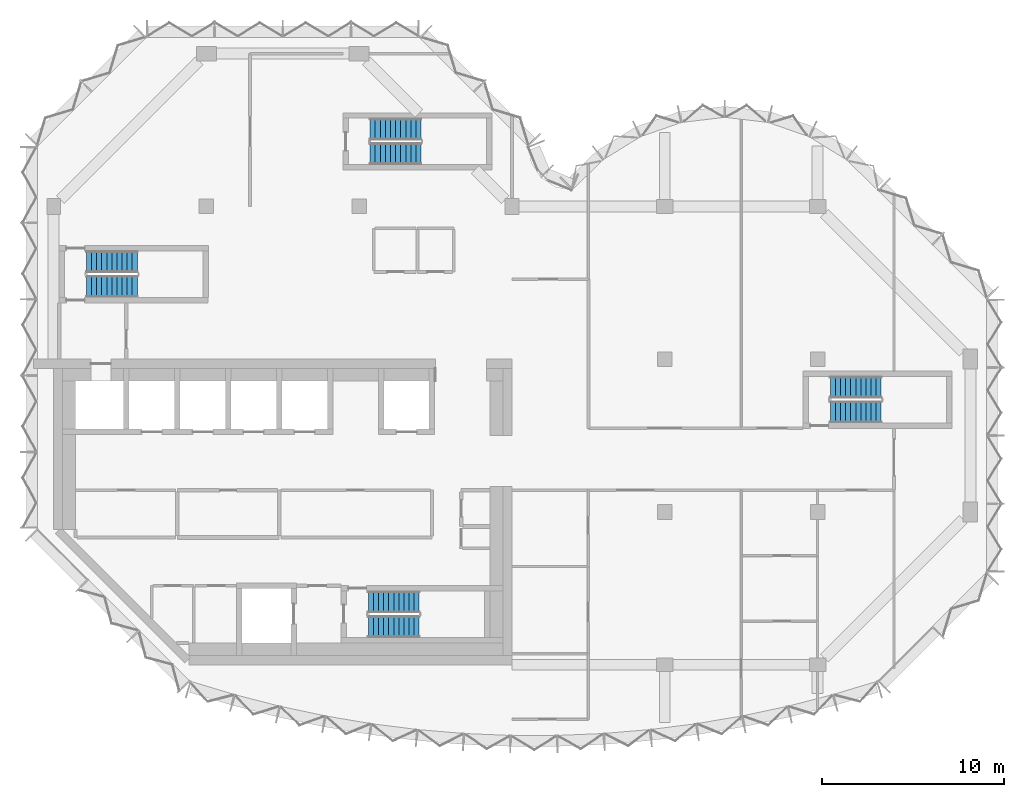
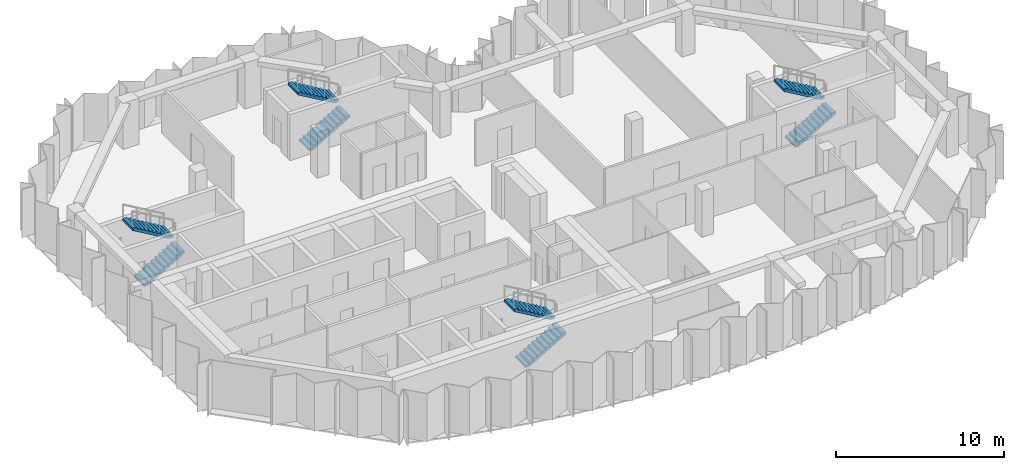
# One storey, part 7 of 9: 8 stair flights, 4 elements without a shape of their own.
"""IFC4 building model written with IfcOpenShell, lengths in metres."""

from ifc_helpers import new_model, si_unit, direction, frame, origin, place, context, subcontext, project, spatial, polyline, outline, extrude, material, type_object, element, aggregate, save


model = new_model("IFC4")

# Units and contexts
model_context = context("Model", 3, precision=1e-05, world=origin(), true_north=direction((0.0, 1.0)))
body_context = subcontext(model_context, "Body", "Model", "MODEL_VIEW")
ifc_project = project(units=[si_unit("LENGTHUNIT", "METRE"), si_unit("AREAUNIT", "SQUARE_METRE"), si_unit("VOLUMEUNIT", "CUBIC_METRE"), si_unit("PLANEANGLEUNIT", "RADIAN"), si_unit("MASSUNIT", "GRAM", prefix="KILO")], contexts=[model_context])

# Site, building, storey
site_placement = place(None, origin())
site = spatial("IfcSite", under=ifc_project, at=site_placement, CompositionType="ELEMENT")
building_placement = place(site_placement, origin())
building = spatial("IfcBuilding", under=site, at=building_placement, Name="Brevane Broadcast Tower", CompositionType="ELEMENT")
storey_placement = place(building_placement, frame((0.0, 0.0, 226.5)))
storey = spatial("IfcBuildingStorey", under=building, at=storey_placement, Name="L57", CompositionType="ELEMENT", Elevation=226.5)

# Stair, stair flights
ifc_material = material(Name="Concrete C50/60", Category="concrete")
stair_type = type_object("IfcStairType", Name="Exit stair 22 risers", PredefinedType="HALF_TURN_STAIR", material=ifc_material)
stair_1_placement = place(storey_placement, origin())
stair_1 = element("IfcStair", 1, at=stair_1_placement, inside=storey, type_object=stair_type, Name="L57 Exit stair ST-1", PredefinedType="HALF_TURN_STAIR")
stair_flight_type = type_object("IfcStairFlightType", Name="Exit stair flight 22 risers", PredefinedType="STRAIGHT", material=ifc_material)
stair_flight_1_placement = place(storey_placement, frame((1.800048828125, 20.800048828125, 0.0), z_axis=(0.0, 0.0, 1.0), x_axis=(1.0, 0.0, 0.0)))
stair_flight_1 = element("IfcStairFlight", 2, at=stair_flight_1_placement, type_object=stair_flight_type, Name="ST-1 flight 1", NumberOfRisers=11, NumberOfTreads=10, PredefinedType="STRAIGHT", RiserHeight=0.163636364, TreadLength=0.28, context=body_context, shape_type="SweptSolid", body=[
    extrude(outline(polyline([(0.0, 0.0), (0.0, 0.16357421875), (0.280029296875, 0.16357421875), (0.280029296875, 0.327392578125), (0.56005859375, 0.327392578125), (0.56005859375, 0.490966796875), (0.840087890625, 0.490966796875), (0.840087890625, 0.654541015625), (1.1201171875, 0.654541015625), (1.1201171875, 0.818115234375), (1.39990234375, 0.818115234375), (1.39990234375, 0.98193359375), (1.679931640625, 0.98193359375), (1.679931640625, 1.1455078125), (1.9599609375, 1.1455078125), (1.9599609375, 1.30908203125), (2.239990234375, 1.30908203125), (2.239990234375, 1.47265625), (2.52001953125, 1.47265625), (2.52001953125, 1.636474609375), (2.800048828125, 1.636474609375), (2.800048828125, 1.800048828125), (2.800048828125, 1.462646484375), (0.297119140625, 0.0), (0.0, 0.0)])), frame((0.0, 0.60009765625, 0.0), z_axis=(0.0, -1.0, 0.0), x_axis=(1.0, 0.0, 0.0)), (0.0, 0.0, 1.0), 1.199951171875),
])
stair_flight_2_placement = place(storey_placement, frame((4.60009765625, 22.14990234375, 1.800048828125), z_axis=(0.0, 0.0, 1.0), x_axis=(-1.0, 0.0, 0.0)))
stair_flight_2 = element("IfcStairFlight", 3, at=stair_flight_2_placement, type_object=stair_flight_type, Name="ST-1 flight 2", NumberOfRisers=11, NumberOfTreads=10, PredefinedType="STRAIGHT", RiserHeight=0.163636364, TreadLength=0.28, context=body_context, shape_type="SweptSolid", body=[
    extrude(outline(polyline([(0.0, 0.0), (0.0, 0.16357421875), (0.280029296875, 0.16357421875), (0.280029296875, 0.327392578125), (0.56005859375, 0.327392578125), (0.56005859375, 0.490966796875), (0.840087890625, 0.490966796875), (0.840087890625, 0.654541015625), (1.1201171875, 0.654541015625), (1.1201171875, 0.818115234375), (1.39990234375, 0.818115234375), (1.39990234375, 0.98193359375), (1.679931640625, 0.98193359375), (1.679931640625, 1.1455078125), (1.9599609375, 1.1455078125), (1.9599609375, 1.30908203125), (2.239990234375, 1.30908203125), (2.239990234375, 1.47265625), (2.52001953125, 1.47265625), (2.52001953125, 1.636474609375), (2.800048828125, 1.636474609375), (2.800048828125, 1.800048828125), (2.800048828125, 1.462646484375), (0.297119140625, 0.0), (0.0, 0.0)])), frame((0.0, 0.60009765625, 0.0), z_axis=(0.0, -1.0, 0.0), x_axis=(1.0, 0.0, 0.0)), (0.0, 0.0, 1.0), 1.199951171875),
])
aggregate(stair_1, [stair_flight_1, stair_flight_2])

stair_2_placement = place(storey_placement, origin())
stair_2 = element("IfcStair", 4, at=stair_2_placement, inside=storey, type_object=stair_type, Name="L57 Exit stair ST-2", PredefinedType="HALF_TURN_STAIR")
stair_flight_3_placement = place(storey_placement, frame((17.300048828125, 2.10009765625, 0.0), z_axis=(0.0, 0.0, 1.0), x_axis=(1.0, 0.0, 0.0)))
stair_flight_3 = element("IfcStairFlight", 5, at=stair_flight_3_placement, type_object=stair_flight_type, Name="ST-2 flight 1", NumberOfRisers=11, NumberOfTreads=10, PredefinedType="STRAIGHT", RiserHeight=0.163636364, TreadLength=0.28, context=body_context, shape_type="SweptSolid", body=[
    extrude(outline(polyline([(0.0, 0.0), (0.0, 0.16357421875), (0.280029296875, 0.16357421875), (0.280029296875, 0.327392578125), (0.56005859375, 0.327392578125), (0.56005859375, 0.490966796875), (0.840087890625, 0.490966796875), (0.840087890625, 0.654541015625), (1.1201171875, 0.654541015625), (1.1201171875, 0.818115234375), (1.39990234375, 0.818115234375), (1.39990234375, 0.98193359375), (1.679931640625, 0.98193359375), (1.679931640625, 1.1455078125), (1.9599609375, 1.1455078125), (1.9599609375, 1.30908203125), (2.239990234375, 1.30908203125), (2.239990234375, 1.47265625), (2.52001953125, 1.47265625), (2.52001953125, 1.636474609375), (2.800048828125, 1.636474609375), (2.800048828125, 1.800048828125), (2.800048828125, 1.462646484375), (0.297119140625, 0.0), (0.0, 0.0)])), frame((0.0, 0.60009765625, 0.0), z_axis=(0.0, -1.0, 0.0), x_axis=(1.0, 0.0, 0.0)), (0.0, 0.0, 1.0), 1.199951171875),
])
stair_flight_4_placement = place(storey_placement, frame((20.10009765625, 3.449951171875, 1.800048828125), z_axis=(0.0, 0.0, 1.0), x_axis=(-1.0, 0.0, 0.0)))
stair_flight_4 = element("IfcStairFlight", 6, at=stair_flight_4_placement, type_object=stair_flight_type, Name="ST-2 flight 2", NumberOfRisers=11, NumberOfTreads=10, PredefinedType="STRAIGHT", RiserHeight=0.163636364, TreadLength=0.28, context=body_context, shape_type="SweptSolid", body=[
    extrude(outline(polyline([(0.0, 0.0), (0.0, 0.16357421875), (0.280029296875, 0.16357421875), (0.280029296875, 0.327392578125), (0.56005859375, 0.327392578125), (0.56005859375, 0.490966796875), (0.840087890625, 0.490966796875), (0.840087890625, 0.654541015625), (1.1201171875, 0.654541015625), (1.1201171875, 0.818115234375), (1.39990234375, 0.818115234375), (1.39990234375, 0.98193359375), (1.679931640625, 0.98193359375), (1.679931640625, 1.1455078125), (1.9599609375, 1.1455078125), (1.9599609375, 1.30908203125), (2.239990234375, 1.30908203125), (2.239990234375, 1.47265625), (2.52001953125, 1.47265625), (2.52001953125, 1.636474609375), (2.800048828125, 1.636474609375), (2.800048828125, 1.800048828125), (2.800048828125, 1.462646484375), (0.297119140625, 0.0), (0.0, 0.0)])), frame((0.0, 0.60009765625, 0.0), z_axis=(0.0, -1.0, 0.0), x_axis=(1.0, 0.0, 0.0)), (0.0, 0.0, 1.0), 1.199951171875),
])
aggregate(stair_2, [stair_flight_3, stair_flight_4])

stair_3_placement = place(storey_placement, origin())
stair_3 = element("IfcStair", 7, at=stair_3_placement, inside=storey, type_object=stair_type, Name="L57 Exit stair ST-3", PredefinedType="HALF_TURN_STAIR")
stair_flight_5_placement = place(storey_placement, frame((17.39990234375, 28.10009765625, 0.0), z_axis=(0.0, 0.0, 1.0), x_axis=(1.0, 0.0, 0.0)))
stair_flight_5 = element("IfcStairFlight", 8, at=stair_flight_5_placement, type_object=stair_flight_type, Name="ST-3 flight 1", NumberOfRisers=11, NumberOfTreads=10, PredefinedType="STRAIGHT", RiserHeight=0.163636364, TreadLength=0.28, context=body_context, shape_type="SweptSolid", body=[
    extrude(outline(polyline([(0.0, 0.0), (0.0, 0.16357421875), (0.280029296875, 0.16357421875), (0.280029296875, 0.327392578125), (0.56005859375, 0.327392578125), (0.56005859375, 0.490966796875), (0.840087890625, 0.490966796875), (0.840087890625, 0.654541015625), (1.1201171875, 0.654541015625), (1.1201171875, 0.818115234375), (1.39990234375, 0.818115234375), (1.39990234375, 0.98193359375), (1.679931640625, 0.98193359375), (1.679931640625, 1.1455078125), (1.9599609375, 1.1455078125), (1.9599609375, 1.30908203125), (2.239990234375, 1.30908203125), (2.239990234375, 1.47265625), (2.52001953125, 1.47265625), (2.52001953125, 1.636474609375), (2.800048828125, 1.636474609375), (2.800048828125, 1.800048828125), (2.800048828125, 1.462646484375), (0.297119140625, 0.0), (0.0, 0.0)])), frame((0.0, 0.60009765625, 0.0), z_axis=(0.0, -1.0, 0.0), x_axis=(1.0, 0.0, 0.0)), (0.0, 0.0, 1.0), 1.199951171875),
])
stair_flight_6_placement = place(storey_placement, frame((20.199951171875, 29.449951171875, 1.800048828125), z_axis=(0.0, 0.0, 1.0), x_axis=(-1.0, 0.0, 0.0)))
stair_flight_6 = element("IfcStairFlight", 9, at=stair_flight_6_placement, type_object=stair_flight_type, Name="ST-3 flight 2", NumberOfRisers=11, NumberOfTreads=10, PredefinedType="STRAIGHT", RiserHeight=0.163636364, TreadLength=0.28, context=body_context, shape_type="SweptSolid", body=[
    extrude(outline(polyline([(0.0, 0.0), (0.0, 0.16357421875), (0.280029296875, 0.16357421875), (0.280029296875, 0.327392578125), (0.56005859375, 0.327392578125), (0.56005859375, 0.490966796875), (0.840087890625, 0.490966796875), (0.840087890625, 0.654541015625), (1.1201171875, 0.654541015625), (1.1201171875, 0.818115234375), (1.39990234375, 0.818115234375), (1.39990234375, 0.98193359375), (1.679931640625, 0.98193359375), (1.679931640625, 1.1455078125), (1.9599609375, 1.1455078125), (1.9599609375, 1.30908203125), (2.239990234375, 1.30908203125), (2.239990234375, 1.47265625), (2.52001953125, 1.47265625), (2.52001953125, 1.636474609375), (2.800048828125, 1.636474609375), (2.800048828125, 1.800048828125), (2.800048828125, 1.462646484375), (0.297119140625, 0.0), (0.0, 0.0)])), frame((0.0, 0.60009765625, 0.0), z_axis=(0.0, -1.0, 0.0), x_axis=(1.0, 0.0, 0.0)), (0.0, 0.0, 1.0), 1.199951171875),
])
aggregate(stair_3, [stair_flight_5, stair_flight_6])

stair_4_placement = place(storey_placement, origin())
stair_4 = element("IfcStair", 10, at=stair_4_placement, inside=storey, type_object=stair_type, Name="L57 Exit stair ST-4", PredefinedType="HALF_TURN_STAIR")
stair_flight_7_placement = place(storey_placement, frame((42.699951171875, 13.89990234375, 0.0), z_axis=(0.0, 0.0, 1.0), x_axis=(1.0, 0.0, 0.0)))
stair_flight_7 = element("IfcStairFlight", 11, at=stair_flight_7_placement, type_object=stair_flight_type, Name="ST-4 flight 1", NumberOfRisers=11, NumberOfTreads=10, PredefinedType="STRAIGHT", RiserHeight=0.163636364, TreadLength=0.28, context=body_context, shape_type="SweptSolid", body=[
    extrude(outline(polyline([(0.0, 0.0), (0.0, 0.16357421875), (0.280029296875, 0.16357421875), (0.280029296875, 0.327392578125), (0.56005859375, 0.327392578125), (0.56005859375, 0.490966796875), (0.840087890625, 0.490966796875), (0.840087890625, 0.654541015625), (1.1201171875, 0.654541015625), (1.1201171875, 0.818115234375), (1.39990234375, 0.818115234375), (1.39990234375, 0.98193359375), (1.679931640625, 0.98193359375), (1.679931640625, 1.1455078125), (1.9599609375, 1.1455078125), (1.9599609375, 1.30908203125), (2.239990234375, 1.30908203125), (2.239990234375, 1.47265625), (2.52001953125, 1.47265625), (2.52001953125, 1.636474609375), (2.800048828125, 1.636474609375), (2.800048828125, 1.800048828125), (2.800048828125, 1.462646484375), (0.297119140625, 0.0), (0.0, 0.0)])), frame((0.0, 0.60009765625, 0.0), z_axis=(0.0, -1.0, 0.0), x_axis=(1.0, 0.0, 0.0)), (0.0, 0.0, 1.0), 1.199951171875),
])
stair_flight_8_placement = place(storey_placement, frame((45.5, 15.25, 1.800048828125), z_axis=(0.0, 0.0, 1.0), x_axis=(-1.0, 0.0, 0.0)))
stair_flight_8 = element("IfcStairFlight", 12, at=stair_flight_8_placement, type_object=stair_flight_type, Name="ST-4 flight 2", NumberOfRisers=11, NumberOfTreads=10, PredefinedType="STRAIGHT", RiserHeight=0.163636364, TreadLength=0.28, context=body_context, shape_type="SweptSolid", body=[
    extrude(outline(polyline([(0.0, 0.0), (0.0, 0.16357421875), (0.280029296875, 0.16357421875), (0.280029296875, 0.327392578125), (0.56005859375, 0.327392578125), (0.56005859375, 0.490966796875), (0.840087890625, 0.490966796875), (0.840087890625, 0.654541015625), (1.1201171875, 0.654541015625), (1.1201171875, 0.818115234375), (1.39990234375, 0.818115234375), (1.39990234375, 0.98193359375), (1.679931640625, 0.98193359375), (1.679931640625, 1.1455078125), (1.9599609375, 1.1455078125), (1.9599609375, 1.30908203125), (2.239990234375, 1.30908203125), (2.239990234375, 1.47265625), (2.52001953125, 1.47265625), (2.52001953125, 1.636474609375), (2.800048828125, 1.636474609375), (2.800048828125, 1.800048828125), (2.800048828125, 1.462646484375), (0.297119140625, 0.0), (0.0, 0.0)])), frame((0.0, 0.60009765625, 0.0), z_axis=(0.0, -1.0, 0.0), x_axis=(1.0, 0.0, 0.0)), (0.0, 0.0, 1.0), 1.199951171875),
])
aggregate(stair_4, [stair_flight_7, stair_flight_8])

save(model, "model.ifc")
